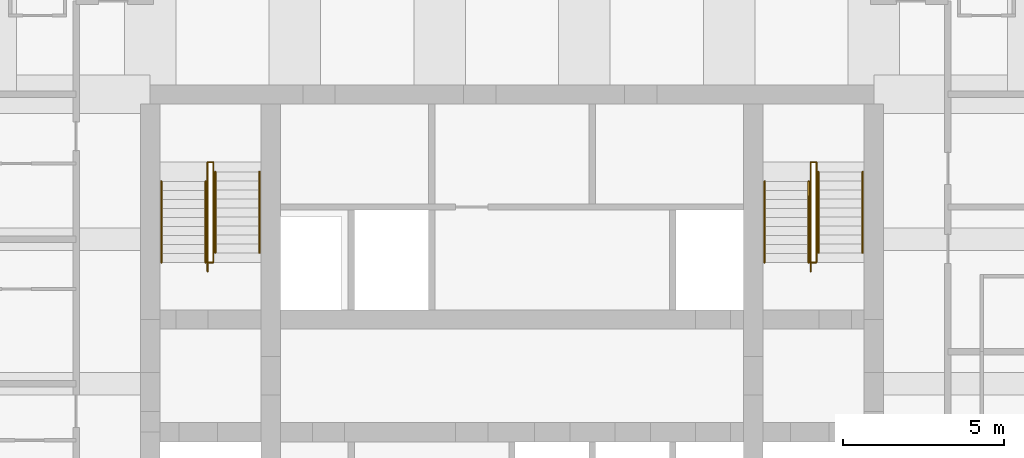
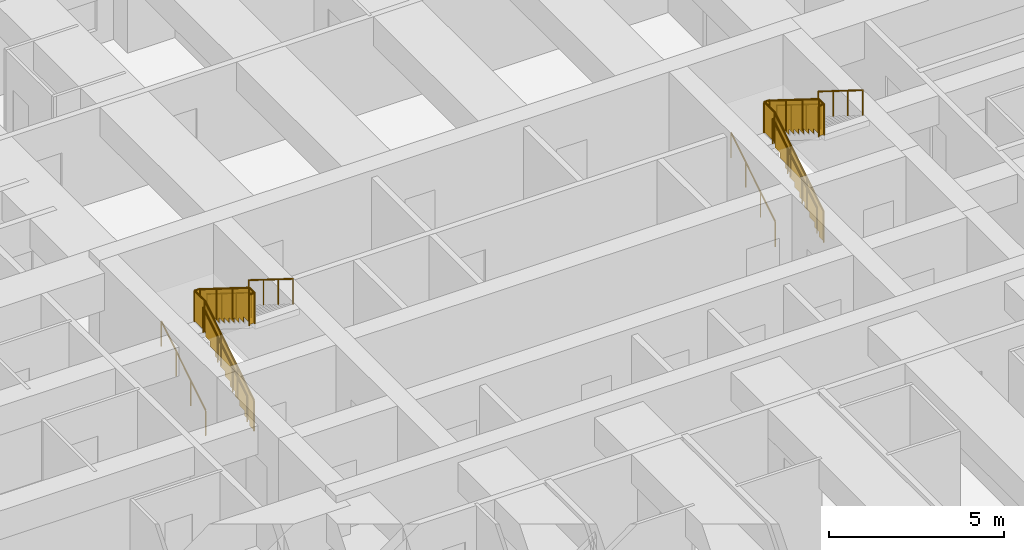
# One storey, part 8 of 8: 12 railings.
"""IFC4 building model written with IfcOpenShell, lengths in metres."""

from ifc_helpers import new_model, si_unit, direction, frame, origin, origin_2d, place, context, subcontext, project, spatial, polyline, circle, outline, extrude, material, type_object, element, save


model = new_model("IFC4")

# Units and contexts
model_context = context("Model", 3, precision=1e-05, world=origin(), true_north=direction((0.0, 1.0)))
body_context = subcontext(model_context, "Body", "Model", "MODEL_VIEW")
ifc_project = project(units=[si_unit("LENGTHUNIT", "METRE"), si_unit("AREAUNIT", "SQUARE_METRE"), si_unit("VOLUMEUNIT", "CUBIC_METRE"), si_unit("PLANEANGLEUNIT", "RADIAN"), si_unit("MASSUNIT", "GRAM", prefix="KILO")], contexts=[model_context])

# Site, building, storey
site_placement = place(None, origin())
site = spatial("IfcSite", under=ifc_project, at=site_placement, CompositionType="ELEMENT")
building_placement = place(site_placement, origin())
building = spatial("IfcBuilding", under=site, at=building_placement, Name="Kilele Tower Hotel", CompositionType="ELEMENT")
storey_placement = place(building_placement, frame((0.0, 0.0, 121.39990234375)))
storey = spatial("IfcBuildingStorey", under=building, at=storey_placement, Name="L31", CompositionType="ELEMENT", Elevation=121.39990234375)

# Railings
ifc_material_1 = material(Name="Steel handrail", Category="steel")
railing_type_1 = type_object("IfcRailingType", Name="Handrail 900", PredefinedType="HANDRAIL", material=ifc_material_1)
for number, where, name in (
    (1, (13.85009765625, 21.77490234375, 0.175048828125), "Handrail ST1 flight 1"),
    (2, (15.22509765625, 21.77490234375, 0.175048828125), "Handrail ST1 flight 1"),
):
    element("IfcRailing", number, at=place(storey_placement, frame(where)), inside=storey, type_object=railing_type_1, Name=name, PredefinedType="HANDRAIL", context=body_context, shape_type="SweptSolid", body=[
        extrude(circle(Radius=0.02490234375, at=origin_2d()), frame((0.0, 0.0, 0.875), z_axis=(0.0, 0.848007534815, 0.529984170421), x_axis=(-1.0, 0.0, 0.0)), (0.0, 0.0, 1.0), 2.9716796875),
        extrude(circle(Radius=0.02001953125, at=origin_2d()), origin(), (0.0, 0.0, 1.0), 0.849853515625),
        extrude(circle(Radius=0.02001953125, at=origin_2d()), frame((0.0, 0.840087890625, 0.52490234375)), (0.0, 0.0, 1.0), 0.849853515625),
        extrude(circle(Radius=0.02001953125, at=origin_2d()), frame((0.0, 1.679931640625, 1.050048828125)), (0.0, 0.0, 1.0), 0.849853515625),
        extrude(circle(Radius=0.02001953125, at=origin_2d()), frame((0.0, 2.52001953125, 1.574951171875)), (0.0, 0.0, 1.0), 0.849853515625),
    ])
for number, where, name in (
    (3, (15.52490234375, 24.594970703125, 1.925048828125), "Handrail ST1 flight 2"),
    (4, (16.89990234375, 24.594970703125, 1.925048828125), "Handrail ST1 flight 2"),
):
    element("IfcRailing", number, at=place(storey_placement, frame(where)), inside=storey, type_object=railing_type_1, Name=name, PredefinedType="HANDRAIL", context=body_context, shape_type="SweptSolid", body=[
        extrude(circle(Radius=0.02490234375, at=origin_2d()), frame((0.0, 0.0, 0.875), z_axis=(0.0, -0.848007534815, 0.529984170421), x_axis=(1.0, 0.0, 0.0)), (0.0, 0.0, 1.0), 2.9716796875),
        extrude(circle(Radius=0.02001953125, at=origin_2d()), origin(), (0.0, 0.0, 1.0), 0.849853515625),
        extrude(circle(Radius=0.02001953125, at=origin_2d()), frame((0.0, -0.840087890625, 0.52490234375)), (0.0, 0.0, 1.0), 0.849853515625),
        extrude(circle(Radius=0.02001953125, at=origin_2d()), frame((0.0, -1.679931640625, 1.050048828125)), (0.0, 0.0, 1.0), 0.849853515625),
        extrude(circle(Radius=0.02001953125, at=origin_2d()), frame((0.0, -2.52001953125, 1.574951171875)), (0.0, 0.0, 1.0), 0.849853515625),
    ])
for number, where, name in (
    (5, (32.60009765625, 21.77490234375, 0.175048828125), "Handrail ST2 flight 1"),
    (6, (33.97509765625, 21.77490234375, 0.175048828125), "Handrail ST2 flight 1"),
):
    element("IfcRailing", number, at=place(storey_placement, frame(where)), inside=storey, type_object=railing_type_1, Name=name, PredefinedType="HANDRAIL", context=body_context, shape_type="SweptSolid", body=[
        extrude(circle(Radius=0.02490234375, at=origin_2d()), frame((0.0, 0.0, 0.875), z_axis=(0.0, 0.848007534815, 0.529984170421), x_axis=(-1.0, 0.0, 0.0)), (0.0, 0.0, 1.0), 2.9716796875),
        extrude(circle(Radius=0.02001953125, at=origin_2d()), origin(), (0.0, 0.0, 1.0), 0.849853515625),
        extrude(circle(Radius=0.02001953125, at=origin_2d()), frame((0.0, 0.840087890625, 0.52490234375)), (0.0, 0.0, 1.0), 0.849853515625),
        extrude(circle(Radius=0.02001953125, at=origin_2d()), frame((0.0, 1.679931640625, 1.050048828125)), (0.0, 0.0, 1.0), 0.849853515625),
        extrude(circle(Radius=0.02001953125, at=origin_2d()), frame((0.0, 2.52001953125, 1.574951171875)), (0.0, 0.0, 1.0), 0.849853515625),
    ])
for number, where, name in (
    (7, (34.27490234375, 24.594970703125, 1.925048828125), "Handrail ST2 flight 2"),
    (8, (35.64990234375, 24.594970703125, 1.925048828125), "Handrail ST2 flight 2"),
):
    element("IfcRailing", number, at=place(storey_placement, frame(where)), inside=storey, type_object=railing_type_1, Name=name, PredefinedType="HANDRAIL", context=body_context, shape_type="SweptSolid", body=[
        extrude(circle(Radius=0.02490234375, at=origin_2d()), frame((0.0, 0.0, 0.875), z_axis=(0.0, -0.848007534815, 0.529984170421), x_axis=(1.0, 0.0, 0.0)), (0.0, 0.0, 1.0), 2.9716796875),
        extrude(circle(Radius=0.02001953125, at=origin_2d()), origin(), (0.0, 0.0, 1.0), 0.849853515625),
        extrude(circle(Radius=0.02001953125, at=origin_2d()), frame((0.0, -0.840087890625, 0.52490234375)), (0.0, 0.0, 1.0), 0.849853515625),
        extrude(circle(Radius=0.02001953125, at=origin_2d()), frame((0.0, -1.679931640625, 1.050048828125)), (0.0, 0.0, 1.0), 0.849853515625),
        extrude(circle(Radius=0.02001953125, at=origin_2d()), frame((0.0, -2.52001953125, 1.574951171875)), (0.0, 0.0, 1.0), 0.849853515625),
    ])
ifc_material_2 = material(Name="Steel guard", Category="steel")
railing_type_2 = type_object("IfcRailingType", Name="Stair guard 1100", PredefinedType="GUARDRAIL", material=ifc_material_2)
railing_1_placement = place(storey_placement, frame((15.284912109375, 21.4951171875, 0.0)))
element("IfcRailing", 9, at=railing_1_placement, inside=storey, type_object=railing_type_2, Name="Stair well guard ST1 flight 1", PredefinedType="GUARDRAIL", context=body_context, shape_type="SweptSolid", body=[
    extrude(circle(Radius=0.02490234375, at=origin_2d()), frame((0.0, 0.0, 1.0751953125), z_axis=(0.0, 0.847981687118, 0.530025526095), x_axis=(-1.0, 0.0, 0.0)), (0.0, 0.0, 1.0), 3.3017578125),
    extrude(circle(Radius=0.02490234375, at=origin_2d()), frame((0.0, 2.7998046875, 2.8251953125), z_axis=(0.0, 1.0, 0.0), x_axis=(-1.0, 0.0, 0.0)), (0.0, 0.0, 1.0), 0.60009765625),
    extrude(circle(Radius=0.02490234375, at=origin_2d()), frame((0.0, 3.39990234375, 2.8251953125), z_axis=(1.0, 0.0, 0.0), x_axis=(0.0, 1.0, 0.0)), (0.0, 0.0, 1.0), 0.18017578125),
    extrude(circle(Radius=0.02490234375, at=origin_2d()), origin(), (0.0, 0.0, 1.0), 1.050048828125),
    extrude(circle(Radius=0.02490234375, at=origin_2d()), frame((0.0, 0.933349609375, 0.583251953125)), (0.0, 0.0, 1.0), 1.050048828125),
    extrude(circle(Radius=0.02490234375, at=origin_2d()), frame((0.0, 1.866455078125, 1.166748046875)), (0.0, 0.0, 1.0), 1.050048828125),
    extrude(circle(Radius=0.02490234375, at=origin_2d()), frame((0.0, 2.7998046875, 1.75)), (0.0, 0.0, 1.0), 1.050048828125),
    extrude(circle(Radius=0.02490234375, at=origin_2d()), frame((0.0, 3.39990234375, 1.75)), (0.0, 0.0, 1.0), 1.050048828125),
    extrude(circle(Radius=0.02490234375, at=origin_2d()), frame((0.18017578125, 3.39990234375, 1.75)), (0.0, 0.0, 1.0), 1.050048828125),
    extrude(outline(polyline([(0.012451171875, 0.030029296875), (0.25, 0.030029296875), (0.25, 0.205078125), (0.530029296875, 0.205078125), (0.530029296875, 0.380126953125), (0.809814453125, 0.380126953125), (0.809814453125, 0.554931640625), (1.08984375, 0.554931640625), (1.08984375, 0.72998046875), (1.369873046875, 0.72998046875), (1.369873046875, 0.905029296875), (1.64990234375, 0.905029296875), (1.64990234375, 1.080078125), (1.929931640625, 1.080078125), (1.929931640625, 1.255126953125), (2.209716796875, 1.255126953125), (2.209716796875, 1.429931640625), (2.48974609375, 1.429931640625), (2.48974609375, 1.60498046875), (2.769775390625, 1.60498046875), (2.769775390625, 1.780029296875), (2.787353515625, 1.780029296875), (2.787353515625, 2.787841796875), (0.012451171875, 1.053466796875), (0.012451171875, 0.030029296875)])), frame((-0.005859375, 0.0, 0.0), z_axis=(1.0, 0.0, 0.0), x_axis=(0.0, 1.0, 0.0)), (0.0, 0.0, 1.0), 0.011962890625),
    extrude(outline(polyline([(0.012451171875, 0.030029296875), (0.587646484375, 0.030029296875), (0.587646484375, 1.050048828125), (0.012451171875, 1.050048828125), (0.012451171875, 0.030029296875)])), frame((-0.005859375, 2.7998046875, 1.75), z_axis=(1.0, 0.0, 0.0), x_axis=(0.0, 1.0, 0.0)), (0.0, 0.0, 1.0), 0.011962890625),
    extrude(outline(polyline([(0.012451171875, 0.030029296875), (0.18017578125, 0.030029296875), (0.18017578125, 1.050048828125), (0.012451171875, 1.050048828125), (0.012451171875, 0.030029296875)])), frame((0.0, 3.40576171875, 1.75), z_axis=(0.0, -1.0, 0.0), x_axis=(1.0, 0.0, 0.0)), (0.0, 0.0, 1.0), 0.011962890625),
])
railing_2_placement = place(storey_placement, frame((15.465087890625, 24.89501953125, 1.75)))
element("IfcRailing", 10, at=railing_2_placement, inside=storey, type_object=railing_type_2, Name="Stair well guard ST1 flight 2", PredefinedType="GUARDRAIL", context=body_context, shape_type="SweptSolid", body=[
    extrude(circle(Radius=0.02490234375, at=origin_2d()), frame((0.0, 0.0, 1.0751953125), z_axis=(0.0, -1.0, 0.0), x_axis=(1.0, 0.0, 0.0)), (0.0, 0.0, 1.0), 0.02001953125),
    extrude(circle(Radius=0.02490234375, at=origin_2d()), frame((0.0, -0.02001953125, 1.0751953125), z_axis=(0.0, -0.848002457836, 0.529992293815), x_axis=(1.0, 0.0, 0.0)), (0.0, 0.0, 1.0), 3.302001953125),
    extrude(circle(Radius=0.02490234375, at=origin_2d()), frame((0.0, -2.820068359375, 2.8251953125), z_axis=(0.0, -1.0, 0.0), x_axis=(1.0, 0.0, 0.0)), (0.0, 0.0, 1.0), 0.300048828125),
    extrude(circle(Radius=0.02490234375, at=origin_2d()), frame((0.0, -3.1201171875, 2.8251953125), z_axis=(-1.0, 0.0, 0.0), x_axis=(0.0, -1.0, 0.0)), (0.0, 0.0, 1.0), 0.18017578125),
    extrude(circle(Radius=0.02490234375, at=origin_2d()), origin(), (0.0, 0.0, 1.0), 1.050048828125),
    extrude(circle(Radius=0.02490234375, at=origin_2d()), frame((0.0, -0.02001953125, 0.0)), (0.0, 0.0, 1.0), 1.050048828125),
    extrude(circle(Radius=0.02490234375, at=origin_2d()), frame((0.0, -0.953369140625, 0.583251953125)), (0.0, 0.0, 1.0), 1.050048828125),
    extrude(circle(Radius=0.02490234375, at=origin_2d()), frame((0.0, -1.88671875, 1.166748046875)), (0.0, 0.0, 1.0), 1.050048828125),
    extrude(circle(Radius=0.02490234375, at=origin_2d()), frame((0.0, -2.820068359375, 1.75)), (0.0, 0.0, 1.0), 1.050048828125),
    extrude(circle(Radius=0.02490234375, at=origin_2d()), frame((0.0, -3.1201171875, 1.75)), (0.0, 0.0, 1.0), 1.050048828125),
    extrude(circle(Radius=0.02490234375, at=origin_2d()), frame((-0.18017578125, -3.1201171875, 1.75)), (0.0, 0.0, 1.0), 1.050048828125),
    extrude(outline(polyline([(0.012451171875, 0.030029296875), (0.25, 0.030029296875), (0.25, 0.205078125), (0.530029296875, 0.205078125), (0.530029296875, 0.380126953125), (0.81005859375, 0.380126953125), (0.81005859375, 0.554931640625), (1.090087890625, 0.554931640625), (1.090087890625, 0.72998046875), (1.3701171875, 0.72998046875), (1.3701171875, 0.905029296875), (1.64990234375, 0.905029296875), (1.64990234375, 1.080078125), (1.929931640625, 1.080078125), (1.929931640625, 1.255126953125), (2.2099609375, 1.255126953125), (2.2099609375, 1.429931640625), (2.489990234375, 1.429931640625), (2.489990234375, 1.60498046875), (2.77001953125, 1.60498046875), (2.77001953125, 1.780029296875), (2.78759765625, 1.780029296875), (2.78759765625, 2.787841796875), (0.012451171875, 1.053466796875), (0.012451171875, 0.030029296875)])), frame((0.005859375, -0.02001953125, 0.0), z_axis=(-1.0, 0.0, 0.0), x_axis=(0.0, -1.0, 0.0)), (0.0, 0.0, 1.0), 0.011962890625),
    extrude(outline(polyline([(0.012451171875, 0.030029296875), (0.28759765625, 0.030029296875), (0.28759765625, 1.050048828125), (0.012451171875, 1.050048828125), (0.012451171875, 0.030029296875)])), frame((0.005859375, -2.820068359375, 1.75), z_axis=(-1.0, 0.0, 0.0), x_axis=(0.0, -1.0, 0.0)), (0.0, 0.0, 1.0), 0.011962890625),
    extrude(outline(polyline([(0.012451171875, 0.030029296875), (0.18017578125, 0.030029296875), (0.18017578125, 1.050048828125), (0.012451171875, 1.050048828125), (0.012451171875, 0.030029296875)])), frame((0.0, -3.1259765625, 1.75), z_axis=(0.0, 1.0, 0.0), x_axis=(-1.0, 0.0, 0.0)), (0.0, 0.0, 1.0), 0.011962890625),
])
railing_3_placement = place(storey_placement, frame((34.034912109375, 21.4951171875, 0.0)))
element("IfcRailing", 11, at=railing_3_placement, inside=storey, type_object=railing_type_2, Name="Stair well guard ST2 flight 1", PredefinedType="GUARDRAIL", context=body_context, shape_type="SweptSolid", body=[
    extrude(circle(Radius=0.02490234375, at=origin_2d()), frame((0.0, 0.0, 1.0751953125), z_axis=(0.0, 0.847981687118, 0.530025526095), x_axis=(-1.0, 0.0, 0.0)), (0.0, 0.0, 1.0), 3.3017578125),
    extrude(circle(Radius=0.02490234375, at=origin_2d()), frame((0.0, 2.7998046875, 2.8251953125), z_axis=(0.0, 1.0, 0.0), x_axis=(-1.0, 0.0, 0.0)), (0.0, 0.0, 1.0), 0.60009765625),
    extrude(circle(Radius=0.02490234375, at=origin_2d()), frame((0.0, 3.39990234375, 2.8251953125), z_axis=(1.0, 0.0, 0.0), x_axis=(0.0, 1.0, 0.0)), (0.0, 0.0, 1.0), 0.18017578125),
    extrude(circle(Radius=0.02490234375, at=origin_2d()), origin(), (0.0, 0.0, 1.0), 1.050048828125),
    extrude(circle(Radius=0.02490234375, at=origin_2d()), frame((0.0, 0.933349609375, 0.583251953125)), (0.0, 0.0, 1.0), 1.050048828125),
    extrude(circle(Radius=0.02490234375, at=origin_2d()), frame((0.0, 1.866455078125, 1.166748046875)), (0.0, 0.0, 1.0), 1.050048828125),
    extrude(circle(Radius=0.02490234375, at=origin_2d()), frame((0.0, 2.7998046875, 1.75)), (0.0, 0.0, 1.0), 1.050048828125),
    extrude(circle(Radius=0.02490234375, at=origin_2d()), frame((0.0, 3.39990234375, 1.75)), (0.0, 0.0, 1.0), 1.050048828125),
    extrude(circle(Radius=0.02490234375, at=origin_2d()), frame((0.18017578125, 3.39990234375, 1.75)), (0.0, 0.0, 1.0), 1.050048828125),
    extrude(outline(polyline([(0.012451171875, 0.030029296875), (0.25, 0.030029296875), (0.25, 0.205078125), (0.530029296875, 0.205078125), (0.530029296875, 0.380126953125), (0.809814453125, 0.380126953125), (0.809814453125, 0.554931640625), (1.08984375, 0.554931640625), (1.08984375, 0.72998046875), (1.369873046875, 0.72998046875), (1.369873046875, 0.905029296875), (1.64990234375, 0.905029296875), (1.64990234375, 1.080078125), (1.929931640625, 1.080078125), (1.929931640625, 1.255126953125), (2.209716796875, 1.255126953125), (2.209716796875, 1.429931640625), (2.48974609375, 1.429931640625), (2.48974609375, 1.60498046875), (2.769775390625, 1.60498046875), (2.769775390625, 1.780029296875), (2.787353515625, 1.780029296875), (2.787353515625, 2.787841796875), (0.012451171875, 1.053466796875), (0.012451171875, 0.030029296875)])), frame((-0.005859375, 0.0, 0.0), z_axis=(1.0, 0.0, 0.0), x_axis=(0.0, 1.0, 0.0)), (0.0, 0.0, 1.0), 0.011962890625),
    extrude(outline(polyline([(0.012451171875, 0.030029296875), (0.587646484375, 0.030029296875), (0.587646484375, 1.050048828125), (0.012451171875, 1.050048828125), (0.012451171875, 0.030029296875)])), frame((-0.005859375, 2.7998046875, 1.75), z_axis=(1.0, 0.0, 0.0), x_axis=(0.0, 1.0, 0.0)), (0.0, 0.0, 1.0), 0.011962890625),
    extrude(outline(polyline([(0.012451171875, 0.030029296875), (0.18017578125, 0.030029296875), (0.18017578125, 1.050048828125), (0.012451171875, 1.050048828125), (0.012451171875, 0.030029296875)])), frame((0.0, 3.40576171875, 1.75), z_axis=(0.0, -1.0, 0.0), x_axis=(1.0, 0.0, 0.0)), (0.0, 0.0, 1.0), 0.011962890625),
])
railing_4_placement = place(storey_placement, frame((34.215087890625, 24.89501953125, 1.75)))
element("IfcRailing", 12, at=railing_4_placement, inside=storey, type_object=railing_type_2, Name="Stair well guard ST2 flight 2", PredefinedType="GUARDRAIL", context=body_context, shape_type="SweptSolid", body=[
    extrude(circle(Radius=0.02490234375, at=origin_2d()), frame((0.0, 0.0, 1.0751953125), z_axis=(0.0, -1.0, 0.0), x_axis=(1.0, 0.0, 0.0)), (0.0, 0.0, 1.0), 0.02001953125),
    extrude(circle(Radius=0.02490234375, at=origin_2d()), frame((0.0, -0.02001953125, 1.0751953125), z_axis=(0.0, -0.848002457836, 0.529992293815), x_axis=(1.0, 0.0, 0.0)), (0.0, 0.0, 1.0), 3.302001953125),
    extrude(circle(Radius=0.02490234375, at=origin_2d()), frame((0.0, -2.820068359375, 2.8251953125), z_axis=(0.0, -1.0, 0.0), x_axis=(1.0, 0.0, 0.0)), (0.0, 0.0, 1.0), 0.300048828125),
    extrude(circle(Radius=0.02490234375, at=origin_2d()), frame((0.0, -3.1201171875, 2.8251953125), z_axis=(-1.0, 0.0, 0.0), x_axis=(0.0, -1.0, 0.0)), (0.0, 0.0, 1.0), 0.18017578125),
    extrude(circle(Radius=0.02490234375, at=origin_2d()), origin(), (0.0, 0.0, 1.0), 1.050048828125),
    extrude(circle(Radius=0.02490234375, at=origin_2d()), frame((0.0, -0.02001953125, 0.0)), (0.0, 0.0, 1.0), 1.050048828125),
    extrude(circle(Radius=0.02490234375, at=origin_2d()), frame((0.0, -0.953369140625, 0.583251953125)), (0.0, 0.0, 1.0), 1.050048828125),
    extrude(circle(Radius=0.02490234375, at=origin_2d()), frame((0.0, -1.88671875, 1.166748046875)), (0.0, 0.0, 1.0), 1.050048828125),
    extrude(circle(Radius=0.02490234375, at=origin_2d()), frame((0.0, -2.820068359375, 1.75)), (0.0, 0.0, 1.0), 1.050048828125),
    extrude(circle(Radius=0.02490234375, at=origin_2d()), frame((0.0, -3.1201171875, 1.75)), (0.0, 0.0, 1.0), 1.050048828125),
    extrude(circle(Radius=0.02490234375, at=origin_2d()), frame((-0.18017578125, -3.1201171875, 1.75)), (0.0, 0.0, 1.0), 1.050048828125),
    extrude(outline(polyline([(0.012451171875, 0.030029296875), (0.25, 0.030029296875), (0.25, 0.205078125), (0.530029296875, 0.205078125), (0.530029296875, 0.380126953125), (0.81005859375, 0.380126953125), (0.81005859375, 0.554931640625), (1.090087890625, 0.554931640625), (1.090087890625, 0.72998046875), (1.3701171875, 0.72998046875), (1.3701171875, 0.905029296875), (1.64990234375, 0.905029296875), (1.64990234375, 1.080078125), (1.929931640625, 1.080078125), (1.929931640625, 1.255126953125), (2.2099609375, 1.255126953125), (2.2099609375, 1.429931640625), (2.489990234375, 1.429931640625), (2.489990234375, 1.60498046875), (2.77001953125, 1.60498046875), (2.77001953125, 1.780029296875), (2.78759765625, 1.780029296875), (2.78759765625, 2.787841796875), (0.012451171875, 1.053466796875), (0.012451171875, 0.030029296875)])), frame((0.005859375, -0.02001953125, 0.0), z_axis=(-1.0, 0.0, 0.0), x_axis=(0.0, -1.0, 0.0)), (0.0, 0.0, 1.0), 0.011962890625),
    extrude(outline(polyline([(0.012451171875, 0.030029296875), (0.28759765625, 0.030029296875), (0.28759765625, 1.050048828125), (0.012451171875, 1.050048828125), (0.012451171875, 0.030029296875)])), frame((0.005859375, -2.820068359375, 1.75), z_axis=(-1.0, 0.0, 0.0), x_axis=(0.0, -1.0, 0.0)), (0.0, 0.0, 1.0), 0.011962890625),
    extrude(outline(polyline([(0.012451171875, 0.030029296875), (0.18017578125, 0.030029296875), (0.18017578125, 1.050048828125), (0.012451171875, 1.050048828125), (0.012451171875, 0.030029296875)])), frame((0.0, -3.1259765625, 1.75), z_axis=(0.0, 1.0, 0.0), x_axis=(-1.0, 0.0, 0.0)), (0.0, 0.0, 1.0), 0.011962890625),
])

save(model, "model.ifc")
